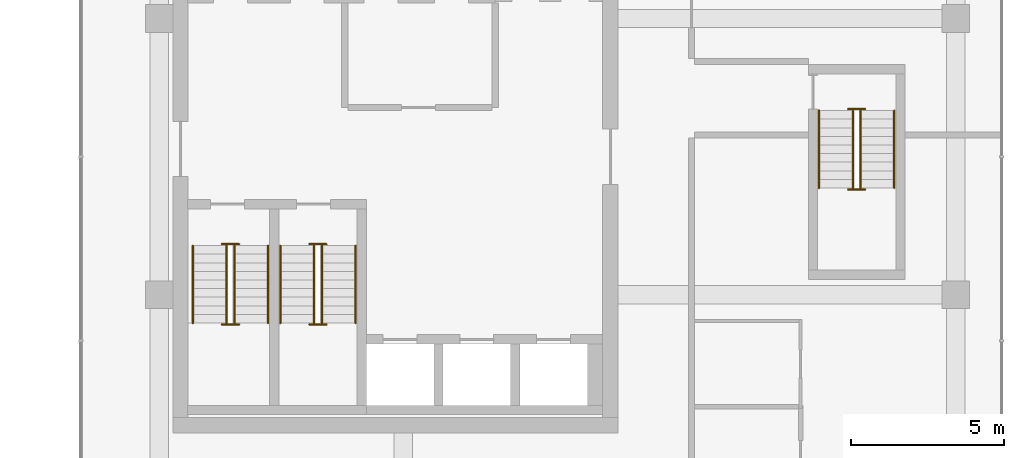
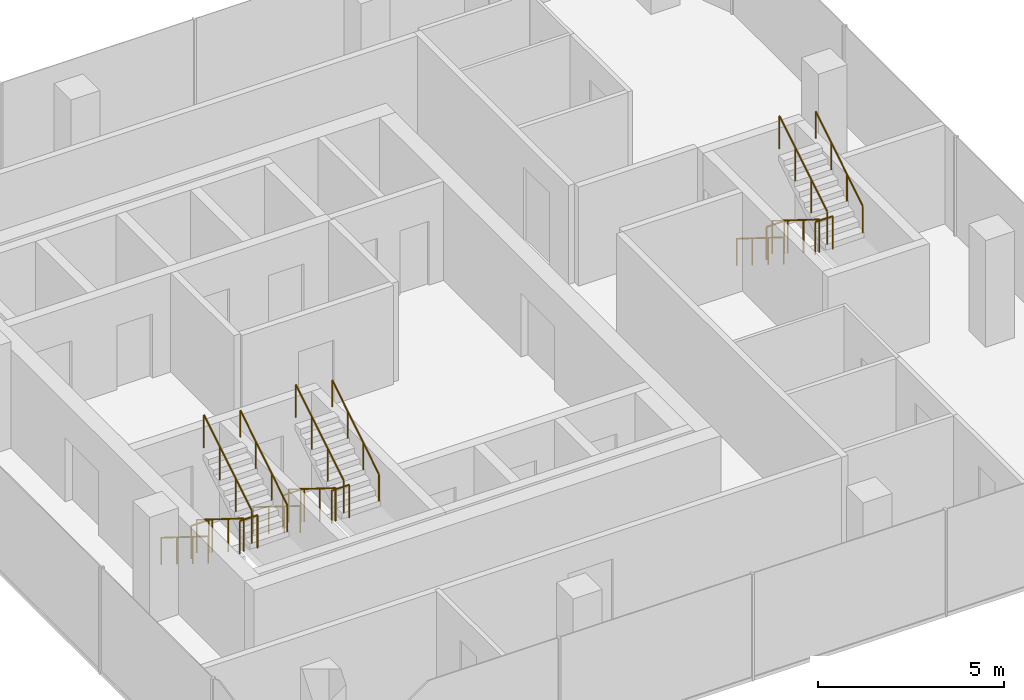
# One storey, part 24 of 24: 18 railings.
"""IFC4 building model written with IfcOpenShell, lengths in metres."""

from ifc_helpers import new_model, si_unit, direction, frame, origin, origin_2d, place, context, subcontext, project, spatial, circle, extrude, material, type_object, element, save


model = new_model("IFC4")

# Units and contexts
model_context = context("Model", 3, precision=1e-05, world=origin(), true_north=direction((0.0, 1.0)))
body_context = subcontext(model_context, "Body", "Model", "MODEL_VIEW")
ifc_project = project(units=[si_unit("LENGTHUNIT", "METRE"), si_unit("AREAUNIT", "SQUARE_METRE"), si_unit("VOLUMEUNIT", "CUBIC_METRE"), si_unit("PLANEANGLEUNIT", "RADIAN"), si_unit("MASSUNIT", "GRAM", prefix="KILO")], contexts=[model_context])

# Site, building, storey
site_placement = place(None, origin())
site = spatial("IfcSite", under=ifc_project, at=site_placement, CompositionType="ELEMENT")
building_placement = place(site_placement, origin())
building = spatial("IfcBuilding", under=site, at=building_placement, Name="Plateau Cross Towers", CompositionType="ELEMENT")
storey_placement = place(building_placement, frame((0.0, 0.0, 51.300048828125)))
storey = spatial("IfcBuildingStorey", under=building, at=storey_placement, Name="L12", CompositionType="ELEMENT", Elevation=51.300048828125)

# Railings
ifc_material_1 = material(Name="Stainless steel and toughened glass", Category="steel")
railing_type_1 = type_object("IfcRailingType", Name="RL-GUARD-1100", PredefinedType="GUARDRAIL", material=ifc_material_1)
railing_1_placement = place(storey_placement, frame((76.75, 6.10009765625, 0.175048828125)))
element("IfcRailing", 1, at=railing_1_placement, inside=storey, type_object=railing_type_1, Name="L12 SB-1 stair guard 1", PredefinedType="GUARDRAIL", context=body_context, shape_type="SweptSolid", body=[
    extrude(circle(Radius=0.02392578125, at=origin_2d()), frame((0.0, 0.0, 1.076171875), z_axis=(0.0, -0.848007534815, 0.529984170421), x_axis=(1.0, 0.0, 0.0)), (0.0, 0.0, 1.0), 2.9716796875),
    extrude(circle(Radius=0.02099609375, at=origin_2d()), origin(), (0.0, 0.0, 1.0), 1.052001953125),
    extrude(circle(Radius=0.02099609375, at=origin_2d()), frame((0.0, -0.840087890625, 0.52490234375)), (0.0, 0.0, 1.0), 1.052001953125),
    extrude(circle(Radius=0.02099609375, at=origin_2d()), frame((0.0, -1.679931640625, 1.050048828125)), (0.0, 0.0, 1.0), 1.052001953125),
    extrude(circle(Radius=0.02099609375, at=origin_2d()), frame((0.0, -2.52001953125, 1.574951171875)), (0.0, 0.0, 1.0), 1.052001953125),
])
railing_2_placement = place(storey_placement, frame((76.60009765625, 3.530029296875, 1.75)))
element("IfcRailing", 2, at=railing_2_placement, inside=storey, type_object=railing_type_1, Name="L12 SB-1 stair guard 2", PredefinedType="GUARDRAIL", context=body_context, shape_type="SweptSolid", body=[
    extrude(circle(Radius=0.02392578125, at=origin_2d()), frame((0.0, 0.0, 1.076171875), z_axis=(1.0, 0.0, 0.0), x_axis=(0.0, 1.0, 0.0)), (0.0, 0.0, 1.0), 0.5498046875),
    extrude(circle(Radius=0.02099609375, at=origin_2d()), origin(), (0.0, 0.0, 1.0), 1.052001953125),
    extrude(circle(Radius=0.02099609375, at=origin_2d()), frame((0.5498046875, 0.0, 0.0)), (0.0, 0.0, 1.0), 1.052001953125),
])
railing_3_placement = place(storey_placement, frame((77.0, 3.580078125, 1.925048828125)))
element("IfcRailing", 3, at=railing_3_placement, inside=storey, type_object=railing_type_1, Name="L12 SB-1 stair guard 3", PredefinedType="GUARDRAIL", context=body_context, shape_type="SweptSolid", body=[
    extrude(circle(Radius=0.02392578125, at=origin_2d()), frame((0.0, 0.0, 1.076171875), z_axis=(0.0, 0.852616386126, 0.522537365276), x_axis=(-1.0, 0.0, 0.0)), (0.0, 0.0, 1.0), 3.01416015625),
    extrude(circle(Radius=0.02099609375, at=origin_2d()), origin(), (0.0, 0.0, 1.0), 1.052001953125),
    extrude(circle(Radius=0.02099609375, at=origin_2d()), frame((0.0, 0.856689453125, 0.52490234375)), (0.0, 0.0, 1.0), 1.052001953125),
    extrude(circle(Radius=0.02099609375, at=origin_2d()), frame((0.0, 1.713134765625, 1.050048828125)), (0.0, 0.0, 1.0), 1.052001953125),
    extrude(circle(Radius=0.02099609375, at=origin_2d()), frame((0.0, 2.56982421875, 1.574951171875)), (0.0, 0.0, 1.0), 1.052001953125),
])
railing_4_placement = place(storey_placement, frame((76.60009765625, 6.14990234375, 0.0)))
element("IfcRailing", 4, at=railing_4_placement, inside=storey, type_object=railing_type_1, Name="L12 SB-1 stair guard 4", PredefinedType="GUARDRAIL", context=body_context, shape_type="SweptSolid", body=[
    extrude(circle(Radius=0.02392578125, at=origin_2d()), frame((0.0, 0.0, 1.076171875), z_axis=(1.0, 0.0, 0.0), x_axis=(0.0, 1.0, 0.0)), (0.0, 0.0, 1.0), 0.5498046875),
    extrude(circle(Radius=0.02099609375, at=origin_2d()), origin(), (0.0, 0.0, 1.0), 1.052001953125),
    extrude(circle(Radius=0.02099609375, at=origin_2d()), frame((0.5498046875, 0.0, 0.0)), (0.0, 0.0, 1.0), 1.052001953125),
])
railing_5_placement = place(storey_placement, frame((79.60009765625, 6.10009765625, 0.175048828125)))
element("IfcRailing", 5, at=railing_5_placement, inside=storey, type_object=railing_type_1, Name="L12 SB-2 stair guard 1", PredefinedType="GUARDRAIL", context=body_context, shape_type="SweptSolid", body=[
    extrude(circle(Radius=0.02392578125, at=origin_2d()), frame((0.0, 0.0, 1.076171875), z_axis=(0.0, -0.848007534815, 0.529984170421), x_axis=(1.0, 0.0, 0.0)), (0.0, 0.0, 1.0), 2.9716796875),
    extrude(circle(Radius=0.02099609375, at=origin_2d()), origin(), (0.0, 0.0, 1.0), 1.052001953125),
    extrude(circle(Radius=0.02099609375, at=origin_2d()), frame((0.0, -0.840087890625, 0.52490234375)), (0.0, 0.0, 1.0), 1.052001953125),
    extrude(circle(Radius=0.02099609375, at=origin_2d()), frame((0.0, -1.679931640625, 1.050048828125)), (0.0, 0.0, 1.0), 1.052001953125),
    extrude(circle(Radius=0.02099609375, at=origin_2d()), frame((0.0, -2.52001953125, 1.574951171875)), (0.0, 0.0, 1.0), 1.052001953125),
])
railing_6_placement = place(storey_placement, frame((79.449951171875, 3.530029296875, 1.75)))
element("IfcRailing", 6, at=railing_6_placement, inside=storey, type_object=railing_type_1, Name="L12 SB-2 stair guard 2", PredefinedType="GUARDRAIL", context=body_context, shape_type="SweptSolid", body=[
    extrude(circle(Radius=0.02392578125, at=origin_2d()), frame((0.0, 0.0, 1.076171875), z_axis=(1.0, 0.0, 0.0), x_axis=(0.0, 1.0, 0.0)), (0.0, 0.0, 1.0), 0.550048828125),
    extrude(circle(Radius=0.02099609375, at=origin_2d()), origin(), (0.0, 0.0, 1.0), 1.052001953125),
    extrude(circle(Radius=0.02099609375, at=origin_2d()), frame((0.550048828125, 0.0, 0.0)), (0.0, 0.0, 1.0), 1.052001953125),
])
railing_7_placement = place(storey_placement, frame((79.85009765625, 3.580078125, 1.925048828125)))
element("IfcRailing", 7, at=railing_7_placement, inside=storey, type_object=railing_type_1, Name="L12 SB-2 stair guard 3", PredefinedType="GUARDRAIL", context=body_context, shape_type="SweptSolid", body=[
    extrude(circle(Radius=0.02392578125, at=origin_2d()), frame((0.0, 0.0, 1.076171875), z_axis=(0.0, 0.852616386126, 0.522537365276), x_axis=(-1.0, 0.0, 0.0)), (0.0, 0.0, 1.0), 3.01416015625),
    extrude(circle(Radius=0.02099609375, at=origin_2d()), origin(), (0.0, 0.0, 1.0), 1.052001953125),
    extrude(circle(Radius=0.02099609375, at=origin_2d()), frame((0.0, 0.856689453125, 0.52490234375)), (0.0, 0.0, 1.0), 1.052001953125),
    extrude(circle(Radius=0.02099609375, at=origin_2d()), frame((0.0, 1.713134765625, 1.050048828125)), (0.0, 0.0, 1.0), 1.052001953125),
    extrude(circle(Radius=0.02099609375, at=origin_2d()), frame((0.0, 2.56982421875, 1.574951171875)), (0.0, 0.0, 1.0), 1.052001953125),
])
railing_8_placement = place(storey_placement, frame((79.449951171875, 6.14990234375, 0.0)))
element("IfcRailing", 8, at=railing_8_placement, inside=storey, type_object=railing_type_1, Name="L12 SB-2 stair guard 4", PredefinedType="GUARDRAIL", context=body_context, shape_type="SweptSolid", body=[
    extrude(circle(Radius=0.02392578125, at=origin_2d()), frame((0.0, 0.0, 1.076171875), z_axis=(1.0, 0.0, 0.0), x_axis=(0.0, 1.0, 0.0)), (0.0, 0.0, 1.0), 0.550048828125),
    extrude(circle(Radius=0.02099609375, at=origin_2d()), origin(), (0.0, 0.0, 1.0), 1.052001953125),
    extrude(circle(Radius=0.02099609375, at=origin_2d()), frame((0.550048828125, 0.0, 0.0)), (0.0, 0.0, 1.0), 1.052001953125),
])
railing_9_placement = place(storey_placement, frame((97.14990234375, 10.5, 0.175048828125)))
element("IfcRailing", 9, at=railing_9_placement, inside=storey, type_object=railing_type_1, Name="L12 SB-3 stair guard 1", PredefinedType="GUARDRAIL", context=body_context, shape_type="SweptSolid", body=[
    extrude(circle(Radius=0.02392578125, at=origin_2d()), frame((0.0, 0.0, 1.076171875), z_axis=(0.0, -0.848007534815, 0.529984170421), x_axis=(1.0, 0.0, 0.0)), (0.0, 0.0, 1.0), 2.9716796875),
    extrude(circle(Radius=0.02099609375, at=origin_2d()), origin(), (0.0, 0.0, 1.0), 1.052001953125),
    extrude(circle(Radius=0.02099609375, at=origin_2d()), frame((0.0, -0.840087890625, 0.52490234375)), (0.0, 0.0, 1.0), 1.052001953125),
    extrude(circle(Radius=0.02099609375, at=origin_2d()), frame((0.0, -1.679931640625, 1.050048828125)), (0.0, 0.0, 1.0), 1.052001953125),
    extrude(circle(Radius=0.02099609375, at=origin_2d()), frame((0.0, -2.52001953125, 1.574951171875)), (0.0, 0.0, 1.0), 1.052001953125),
])
railing_10_placement = place(storey_placement, frame((97.0, 7.929931640625, 1.75)))
element("IfcRailing", 10, at=railing_10_placement, inside=storey, type_object=railing_type_1, Name="L12 SB-3 stair guard 2", PredefinedType="GUARDRAIL", context=body_context, shape_type="SweptSolid", body=[
    extrude(circle(Radius=0.02392578125, at=origin_2d()), frame((0.0, 0.0, 1.076171875), z_axis=(1.0, 0.0, 0.0), x_axis=(0.0, 1.0, 0.0)), (0.0, 0.0, 1.0), 0.550048828125),
    extrude(circle(Radius=0.02099609375, at=origin_2d()), origin(), (0.0, 0.0, 1.0), 1.052001953125),
    extrude(circle(Radius=0.02099609375, at=origin_2d()), frame((0.550048828125, 0.0, 0.0)), (0.0, 0.0, 1.0), 1.052001953125),
])
railing_11_placement = place(storey_placement, frame((97.39990234375, 7.97998046875, 1.925048828125)))
element("IfcRailing", 11, at=railing_11_placement, inside=storey, type_object=railing_type_1, Name="L12 SB-3 stair guard 3", PredefinedType="GUARDRAIL", context=body_context, shape_type="SweptSolid", body=[
    extrude(circle(Radius=0.02392578125, at=origin_2d()), frame((0.0, 0.0, 1.076171875), z_axis=(0.0, 0.852638500773, 0.522501279423), x_axis=(-1.0, 0.0, 0.0)), (0.0, 0.0, 1.0), 3.01416015625),
    extrude(circle(Radius=0.02099609375, at=origin_2d()), origin(), (0.0, 0.0, 1.0), 1.052001953125),
    extrude(circle(Radius=0.02099609375, at=origin_2d()), frame((0.0, 0.856689453125, 0.52490234375)), (0.0, 0.0, 1.0), 1.052001953125),
    extrude(circle(Radius=0.02099609375, at=origin_2d()), frame((0.0, 1.71337890625, 1.050048828125)), (0.0, 0.0, 1.0), 1.052001953125),
    extrude(circle(Radius=0.02099609375, at=origin_2d()), frame((0.0, 2.570068359375, 1.574951171875)), (0.0, 0.0, 1.0), 1.052001953125),
])
railing_12_placement = place(storey_placement, frame((97.0, 10.550048828125, 0.0)))
element("IfcRailing", 12, at=railing_12_placement, inside=storey, type_object=railing_type_1, Name="L12 SB-3 stair guard 4", PredefinedType="GUARDRAIL", context=body_context, shape_type="SweptSolid", body=[
    extrude(circle(Radius=0.02392578125, at=origin_2d()), frame((0.0, 0.0, 1.076171875), z_axis=(1.0, 0.0, 0.0), x_axis=(0.0, 1.0, 0.0)), (0.0, 0.0, 1.0), 0.550048828125),
    extrude(circle(Radius=0.02099609375, at=origin_2d()), origin(), (0.0, 0.0, 1.0), 1.052001953125),
    extrude(circle(Radius=0.02099609375, at=origin_2d()), frame((0.550048828125, 0.0, 0.0)), (0.0, 0.0, 1.0), 1.052001953125),
])
ifc_material_2 = material(Name="Black anodised aluminium", Category="aluminium")
railing_type_2 = type_object("IfcRailingType", Name="RL-HANDRAIL-900", PredefinedType="HANDRAIL", material=ifc_material_2)
railing_13_placement = place(storey_placement, frame((75.64990234375, 6.10009765625, 0.175048828125)))
element("IfcRailing", 13, at=railing_13_placement, inside=storey, type_object=railing_type_2, Name="L12 SB-1 stair handrail 1", PredefinedType="HANDRAIL", context=body_context, shape_type="SweptSolid", body=[
    extrude(circle(Radius=0.02392578125, at=origin_2d()), frame((0.0, 0.0, 0.8759765625), z_axis=(0.0, -0.848007534815, 0.529984170421), x_axis=(1.0, 0.0, 0.0)), (0.0, 0.0, 1.0), 2.9716796875),
    extrude(circle(Radius=0.02099609375, at=origin_2d()), origin(), (0.0, 0.0, 1.0), 0.851806640625),
    extrude(circle(Radius=0.02099609375, at=origin_2d()), frame((0.0, -0.840087890625, 0.52490234375)), (0.0, 0.0, 1.0), 0.851806640625),
    extrude(circle(Radius=0.02099609375, at=origin_2d()), frame((0.0, -1.679931640625, 1.050048828125)), (0.0, 0.0, 1.0), 0.851806640625),
    extrude(circle(Radius=0.02099609375, at=origin_2d()), frame((0.0, -2.52001953125, 1.574951171875)), (0.0, 0.0, 1.0), 0.851806640625),
])
railing_14_placement = place(storey_placement, frame((78.10009765625, 3.580078125, 1.925048828125)))
element("IfcRailing", 14, at=railing_14_placement, inside=storey, type_object=railing_type_2, Name="L12 SB-1 stair handrail 2", PredefinedType="HANDRAIL", context=body_context, shape_type="SweptSolid", body=[
    extrude(circle(Radius=0.02392578125, at=origin_2d()), frame((0.0, 0.0, 0.8759765625), z_axis=(0.0, 0.848007534815, 0.529984170421), x_axis=(-1.0, 0.0, 0.0)), (0.0, 0.0, 1.0), 2.9716796875),
    extrude(circle(Radius=0.02099609375, at=origin_2d()), origin(), (0.0, 0.0, 1.0), 0.851806640625),
    extrude(circle(Radius=0.02099609375, at=origin_2d()), frame((0.0, 0.840087890625, 0.52490234375)), (0.0, 0.0, 1.0), 0.851806640625),
    extrude(circle(Radius=0.02099609375, at=origin_2d()), frame((0.0, 1.679931640625, 1.050048828125)), (0.0, 0.0, 1.0), 0.851806640625),
    extrude(circle(Radius=0.02099609375, at=origin_2d()), frame((0.0, 2.52001953125, 1.574951171875)), (0.0, 0.0, 1.0), 0.851806640625),
])
railing_15_placement = place(storey_placement, frame((78.5, 6.10009765625, 0.175048828125)))
element("IfcRailing", 15, at=railing_15_placement, inside=storey, type_object=railing_type_2, Name="L12 SB-2 stair handrail 1", PredefinedType="HANDRAIL", context=body_context, shape_type="SweptSolid", body=[
    extrude(circle(Radius=0.02392578125, at=origin_2d()), frame((0.0, 0.0, 0.8759765625), z_axis=(0.0, -0.848007534815, 0.529984170421), x_axis=(1.0, 0.0, 0.0)), (0.0, 0.0, 1.0), 2.9716796875),
    extrude(circle(Radius=0.02099609375, at=origin_2d()), origin(), (0.0, 0.0, 1.0), 0.851806640625),
    extrude(circle(Radius=0.02099609375, at=origin_2d()), frame((0.0, -0.840087890625, 0.52490234375)), (0.0, 0.0, 1.0), 0.851806640625),
    extrude(circle(Radius=0.02099609375, at=origin_2d()), frame((0.0, -1.679931640625, 1.050048828125)), (0.0, 0.0, 1.0), 0.851806640625),
    extrude(circle(Radius=0.02099609375, at=origin_2d()), frame((0.0, -2.52001953125, 1.574951171875)), (0.0, 0.0, 1.0), 0.851806640625),
])
railing_16_placement = place(storey_placement, frame((80.949951171875, 3.580078125, 1.925048828125)))
element("IfcRailing", 16, at=railing_16_placement, inside=storey, type_object=railing_type_2, Name="L12 SB-2 stair handrail 2", PredefinedType="HANDRAIL", context=body_context, shape_type="SweptSolid", body=[
    extrude(circle(Radius=0.02392578125, at=origin_2d()), frame((0.0, 0.0, 0.8759765625), z_axis=(0.0, 0.848007534815, 0.529984170421), x_axis=(-1.0, 0.0, 0.0)), (0.0, 0.0, 1.0), 2.9716796875),
    extrude(circle(Radius=0.02099609375, at=origin_2d()), origin(), (0.0, 0.0, 1.0), 0.851806640625),
    extrude(circle(Radius=0.02099609375, at=origin_2d()), frame((0.0, 0.840087890625, 0.52490234375)), (0.0, 0.0, 1.0), 0.851806640625),
    extrude(circle(Radius=0.02099609375, at=origin_2d()), frame((0.0, 1.679931640625, 1.050048828125)), (0.0, 0.0, 1.0), 0.851806640625),
    extrude(circle(Radius=0.02099609375, at=origin_2d()), frame((0.0, 2.52001953125, 1.574951171875)), (0.0, 0.0, 1.0), 0.851806640625),
])
railing_17_placement = place(storey_placement, frame((96.050048828125, 10.5, 0.175048828125)))
element("IfcRailing", 17, at=railing_17_placement, inside=storey, type_object=railing_type_2, Name="L12 SB-3 stair handrail 1", PredefinedType="HANDRAIL", context=body_context, shape_type="SweptSolid", body=[
    extrude(circle(Radius=0.02392578125, at=origin_2d()), frame((0.0, 0.0, 0.8759765625), z_axis=(0.0, -0.848007534815, 0.529984170421), x_axis=(1.0, 0.0, 0.0)), (0.0, 0.0, 1.0), 2.9716796875),
    extrude(circle(Radius=0.02099609375, at=origin_2d()), origin(), (0.0, 0.0, 1.0), 0.851806640625),
    extrude(circle(Radius=0.02099609375, at=origin_2d()), frame((0.0, -0.840087890625, 0.52490234375)), (0.0, 0.0, 1.0), 0.851806640625),
    extrude(circle(Radius=0.02099609375, at=origin_2d()), frame((0.0, -1.679931640625, 1.050048828125)), (0.0, 0.0, 1.0), 0.851806640625),
    extrude(circle(Radius=0.02099609375, at=origin_2d()), frame((0.0, -2.52001953125, 1.574951171875)), (0.0, 0.0, 1.0), 0.851806640625),
])
railing_18_placement = place(storey_placement, frame((98.5, 7.97998046875, 1.925048828125)))
element("IfcRailing", 18, at=railing_18_placement, inside=storey, type_object=railing_type_2, Name="L12 SB-3 stair handrail 2", PredefinedType="HANDRAIL", context=body_context, shape_type="SweptSolid", body=[
    extrude(circle(Radius=0.02392578125, at=origin_2d()), frame((0.0, 0.0, 0.8759765625), z_axis=(0.0, 0.848007534815, 0.529984170421), x_axis=(-1.0, 0.0, 0.0)), (0.0, 0.0, 1.0), 2.9716796875),
    extrude(circle(Radius=0.02099609375, at=origin_2d()), origin(), (0.0, 0.0, 1.0), 0.851806640625),
    extrude(circle(Radius=0.02099609375, at=origin_2d()), frame((0.0, 0.840087890625, 0.52490234375)), (0.0, 0.0, 1.0), 0.851806640625),
    extrude(circle(Radius=0.02099609375, at=origin_2d()), frame((0.0, 1.679931640625, 1.050048828125)), (0.0, 0.0, 1.0), 0.851806640625),
    extrude(circle(Radius=0.02099609375, at=origin_2d()), frame((0.0, 2.52001953125, 1.574951171875)), (0.0, 0.0, 1.0), 0.851806640625),
])

save(model, "model.ifc")
